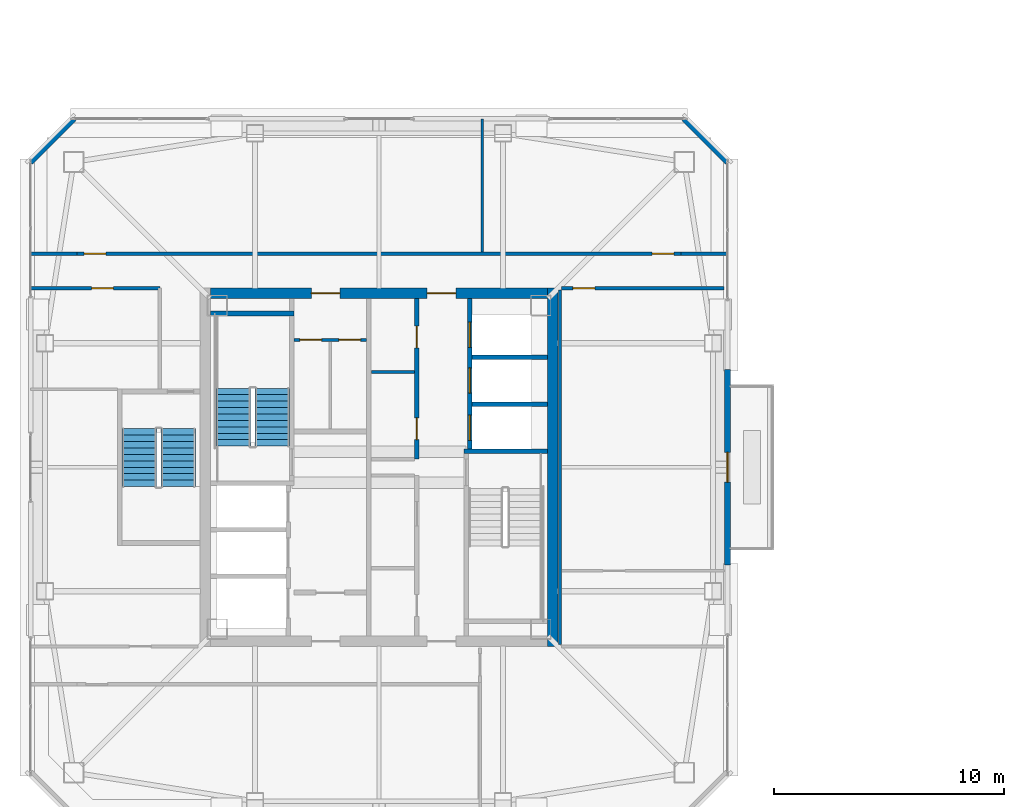
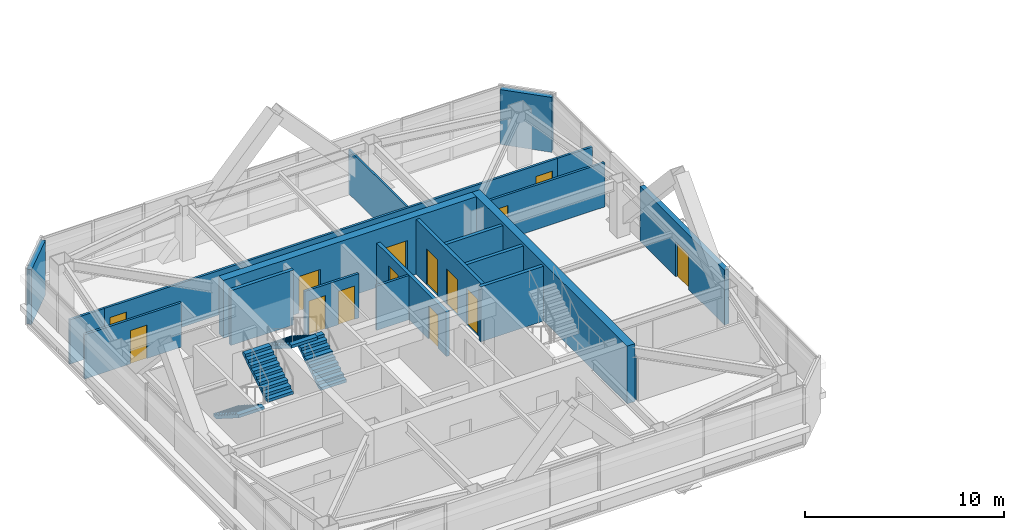
# One storey, part 20 of 24: 20 walls, 14 doors, 4 stair flights, 14 openings, 2 elements without a shape of their own.
"""IFC4 building model written with IfcOpenShell, lengths in metres."""

from ifc_helpers import new_model, si_unit, direction, frame, frame_2d, origin, place, context, subcontext, project, spatial, polyline, rectangle, outline, extrude, material, layer, layer_set, type_object, element, fill, aggregate, save


model = new_model("IFC4")

# Units and contexts
model_context = context("Model", 3, precision=1e-05, world=origin(), true_north=direction((0.0, 1.0)))
body_context = subcontext(model_context, "Body", "Model", "MODEL_VIEW")
ifc_project = project(units=[si_unit("LENGTHUNIT", "METRE"), si_unit("AREAUNIT", "SQUARE_METRE"), si_unit("VOLUMEUNIT", "CUBIC_METRE"), si_unit("PLANEANGLEUNIT", "RADIAN"), si_unit("MASSUNIT", "GRAM", prefix="KILO")], contexts=[model_context])

# Site, building, storey
site_placement = place(None, origin())
site = spatial("IfcSite", under=ifc_project, at=site_placement, CompositionType="ELEMENT")
building_placement = place(site_placement, origin())
building = spatial("IfcBuilding", under=site, at=building_placement, Name="Tashvorn Skyway Center", CompositionType="ELEMENT")
storey_placement = place(building_placement, frame((0.0, 0.0, 270.5)))
storey = spatial("IfcBuildingStorey", under=building, at=storey_placement, Name="L73", CompositionType="ELEMENT", Elevation=270.5)

# Wall
ifc_material_1 = material(Name="Concrete C50/60", Category="concrete")
ifc_layer_1 = layer(ifc_material_1, 0.449951171875)
ifc_layer_set_1 = layer_set([ifc_layer_1], Name="Concrete C50/60")
wall_type_1 = type_object("IfcWallType", Name="WALL-CORE-450", PredefinedType="SHEAR", material=ifc_layer_set_1)
wall_1_placement = place(storey_placement, frame((49.574951171875, 39.800048828125, 0.0), z_axis=(0.0, 0.0, 1.0), x_axis=(0.0, -1.0, 0.0)))
element("IfcWall", 1, at=wall_1_placement, inside=storey, type_object=wall_type_1, Name="Tower 1 L73 East Core Shear Wall", PredefinedType="SHEAR", context=body_context, shape_type="SweptSolid", body=[
    extrude(rectangle(XDim=15.60009765625, YDim=0.449951171875, at=frame_2d((7.800048828125, 0.0))), origin(), (0.0, 0.0, 1.0), 3.550048828125),
])

# Wall, openings, doors
wall_2_placement = place(storey_placement, frame((34.64990234375, 39.574951171875, 0.0), z_axis=(0.0, 0.0, 1.0), x_axis=(1.0, 0.0, 0.0)))
wall_2 = element("IfcWall", 2, at=wall_2_placement, inside=storey, type_object=wall_type_1, Name="Tower 1 L73 North Core Shear Wall", PredefinedType="SHEAR", context=body_context, shape_type="SweptSolid", body=[
    extrude(rectangle(XDim=14.7001953125, YDim=0.449951171875, at=frame_2d((7.35009765625, 0.0))), origin(), (0.0, 0.0, 1.0), 3.550048828125),
])
opening_1_placement = place(wall_2_placement, frame((4.39990234375, 0.0, 0.0)))
opening_1 = element("IfcOpeningElement", 3, at=opening_1_placement, cuts=wall_2, Name="Opening D-FFL-1250", PredefinedType="OPENING", context=body_context, shape_type="SweptSolid", body=[
    extrude(rectangle(XDim=1.25, YDim=2.25, at=frame_2d((0.625, 1.125))), frame((0.0, 0.23486328125, 0.0), z_axis=(0.0, -1.0, 0.0), x_axis=(1.0, 0.0, 0.0)), (0.0, 0.0, 1.0), 0.469970703125),
])
opening_2_placement = place(wall_2_placement, frame((9.449951171875, 0.0, 0.0)))
opening_2 = element("IfcOpeningElement", 4, at=opening_2_placement, cuts=wall_2, Name="Opening D-FFL-1250", PredefinedType="OPENING", context=body_context, shape_type="SweptSolid", body=[
    extrude(rectangle(XDim=1.25, YDim=2.25, at=frame_2d((0.625, 1.125))), frame((0.0, 0.23486328125, 0.0), z_axis=(0.0, -1.0, 0.0), x_axis=(1.0, 0.0, 0.0)), (0.0, 0.0, 1.0), 0.469970703125),
])
ifc_material_2 = material(Name="Hollow galvanized steel fire door assembly", Category="steel")
door_type_1 = type_object("IfcDoorType", Name="DOOR-FFL-1250", OperationType="NOTDEFINED", PredefinedType="DOOR", material=ifc_material_2)
door_1_placement = place(opening_1_placement, origin())
door_1 = element("IfcDoor", 5, at=door_1_placement, inside=storey, type_object=door_type_1, Name="Tower 1 L73 Core North Service Lobby Door", OperationType="SINGLE_SWING_LEFT", OverallHeight=2.25, OverallWidth=1.25, PredefinedType="DOOR", context=body_context, shape_type="SweptSolid", body=[
    extrude(rectangle(XDim=1.25, YDim=2.25, at=frame_2d((0.625, 1.125))), frame((0.0, 0.02490234375, 0.0), z_axis=(0.0, -1.0, 0.0), x_axis=(1.0, 0.0, 0.0)), (0.0, 0.0, 1.0), 0.050048828125),
])
fill(opening_1, door_1)
door_2_placement = place(opening_2_placement, origin())
door_2 = element("IfcDoor", 6, at=door_2_placement, inside=storey, type_object=door_type_1, Name="Tower 1 L73 Core North Lift Lobby Door", OperationType="SINGLE_SWING_RIGHT", OverallHeight=2.25, OverallWidth=1.25, PredefinedType="DOOR", context=body_context, shape_type="SweptSolid", body=[
    extrude(rectangle(XDim=1.25, YDim=2.25, at=frame_2d((0.625, 1.125))), frame((0.0, 0.02490234375, 0.0), z_axis=(0.0, -1.0, 0.0), x_axis=(1.0, 0.0, 0.0)), (0.0, 0.0, 1.0), 0.050048828125),
])
fill(opening_2, door_2)

# Wall, opening, door
ifc_material_3 = material(Name="Precast concrete C40/50", Category="concrete")
ifc_layer_2 = layer(ifc_material_3, 0.280029296875)
ifc_layer_set_2 = layer_set([ifc_layer_2], Name="Precast concrete C40/50")
wall_type_2 = type_object("IfcWallType", Name="WALL-EXT-280", PredefinedType="SOLIDWALL", material=ifc_layer_set_2)
wall_3_placement = place(storey_placement, frame((57.179931640625, 36.25, 0.0), z_axis=(0.0, 0.0, 1.0), x_axis=(0.0, -1.0, 0.0)))
wall_3 = element("IfcWall", 7, at=wall_3_placement, inside=storey, type_object=wall_type_2, Name="Tower 1 L73 East Terrace Portal Wall", PredefinedType="SOLIDWALL", context=body_context, shape_type="SweptSolid", body=[
    extrude(rectangle(XDim=8.5, YDim=0.280029296875, at=frame_2d((4.25, 0.0))), origin(), (0.0, 0.0, 1.0), 3.3701171875),
])
opening_3_placement = place(wall_3_placement, frame((3.60009765625, 0.0, 0.0)))
opening_3 = element("IfcOpeningElement", 8, at=opening_3_placement, cuts=wall_3, Name="Opening D-TER-1300", PredefinedType="OPENING", context=body_context, shape_type="SweptSolid", body=[
    extrude(rectangle(XDim=1.300048828125, YDim=2.14990234375, at=frame_2d((0.64990234375, 1.074951171875))), frame((0.0, 0.14990234375, 0.0), z_axis=(0.0, -1.0, 0.0), x_axis=(1.0, 0.0, 0.0)), (0.0, 0.0, 1.0), 0.300048828125),
])
ifc_material_4 = material(Name="Thermally broken bronze-anodized aluminium 6063-T6", Category="aluminium")
door_type_2 = type_object("IfcDoorType", Name="DOOR-TERR-1300", OperationType="NOTDEFINED", PredefinedType="DOOR", material=ifc_material_4)
door_3_placement = place(opening_3_placement, origin())
door_3 = element("IfcDoor", 9, at=door_3_placement, inside=storey, type_object=door_type_2, Name="Tower 1 L73 Terrace Access Door", OperationType="SINGLE_SWING_LEFT", OverallHeight=2.14990234375, OverallWidth=1.300048828125, PredefinedType="DOOR", context=body_context, shape_type="SweptSolid", body=[
    extrude(rectangle(XDim=1.300048828125, YDim=2.14990234375, at=frame_2d((0.64990234375, 1.074951171875))), frame((0.0, 0.02490234375, 0.0), z_axis=(0.0, -1.0, 0.0), x_axis=(1.0, 0.0, 0.0)), (0.0, 0.0, 1.0), 0.050048828125),
])
fill(opening_3, door_3)

# Walls
for number, where, z_axis, x_axis, name in (
    (10, (26.800048828125, 45.300048828125, 0.0), (0.0, 0.0, 1.0), (0.707106781187, 0.707106781187, 0.0), "Tower 1 L73 NW Precast Chamfer Wall"),
    (11, (55.300048828125, 47.199951171875, 0.0), (0.0, 0.0, 1.0), (0.707106781187, -0.707106781187, 0.0), "Tower 1 L73 NE Precast Chamfer Wall"),
):
    element("IfcWall", number, at=place(storey_placement, frame(where, z_axis=z_axis, x_axis=x_axis)), inside=storey, type_object=wall_type_2, Name=name, PredefinedType="SOLIDWALL", context=body_context, shape_type="SweptSolid", body=[
        extrude(rectangle(XDim=2.686767578125, YDim=0.280029296875, at=frame_2d((1.34326171875, 0.0))), origin(), (0.0, 0.0, 1.0), 3.3701171875),
    ])
ifc_material_5 = material(Name="Gypsum board on cold-formed steel stud framing", Category="steel")
ifc_layer_3 = layer(ifc_material_5, 0.110107421875)
ifc_layer_set_3 = layer_set([ifc_layer_3], Name="Gypsum board on cold-formed steel stud framing")
wall_type_3 = type_object("IfcWallType", Name="WALL-PART-110", PredefinedType="PARTITIONING", material=ifc_layer_set_3)
wall_4_placement = place(storey_placement, frame((46.5, 41.3798828125, 0.0), z_axis=(0.0, 0.0, 1.0), x_axis=(0.0, 1.0, 0.0)))
element("IfcWall", 12, at=wall_4_placement, inside=storey, type_object=wall_type_3, Name="Tower 1 L73 North Suite Partition 1", PredefinedType="PARTITIONING", context=body_context, shape_type="SweptSolid", body=[
    extrude(rectangle(XDim=5.800048828125, YDim=0.110107421875, at=frame_2d((2.89990234375, 0.0))), origin(), (0.0, 0.0, 1.0), 2.722900390625),
])

# Wall, openings, doors
ifc_layer_4 = layer(ifc_material_5, 0.135009765625)
ifc_layer_set_4 = layer_set([ifc_layer_4], Name="Gypsum board on cold-formed steel stud framing")
wall_type_4 = type_object("IfcWallType", Name="WALL-PART-135", PredefinedType="PARTITIONING", material=ifc_layer_set_4)
wall_5_placement = place(storey_placement, frame((28.85009765625, 41.300048828125, 0.0), z_axis=(0.0, 0.0, 1.0), x_axis=(1.0, 0.0, 0.0)))
wall_5 = element("IfcWall", 13, at=wall_5_placement, inside=storey, type_object=wall_type_4, Name="Tower 1 L73 North Suite Wall", PredefinedType="PARTITIONING", context=body_context, shape_type="SweptSolid", body=[
    extrude(rectangle(XDim=26.2998046875, YDim=0.135009765625, at=frame_2d((13.14990234375, 0.0))), origin(), (0.0, 0.0, 1.0), 2.722900390625),
])
opening_4_placement = place(wall_5_placement, frame((0.300048828125, 0.0, 0.0)))
opening_4 = element("IfcOpeningElement", 14, at=opening_4_placement, cuts=wall_5, Name="Opening D-INT-950", PredefinedType="OPENING", context=body_context, shape_type="SweptSolid", body=[
    extrude(rectangle(XDim=0.949951171875, YDim=2.050048828125, at=frame_2d((0.47509765625, 1.02490234375))), frame((0.0, 0.077392578125, 0.0), z_axis=(0.0, -1.0, 0.0), x_axis=(1.0, 0.0, 0.0)), (0.0, 0.0, 1.0), 0.155029296875),
])
opening_5_placement = place(wall_5_placement, frame((25.050048828125, 0.0, 0.0)))
opening_5 = element("IfcOpeningElement", 15, at=opening_5_placement, cuts=wall_5, Name="Opening D-INT-950", PredefinedType="OPENING", context=body_context, shape_type="SweptSolid", body=[
    extrude(rectangle(XDim=0.949951171875, YDim=2.050048828125, at=frame_2d((0.47509765625, 1.02490234375))), frame((0.0, 0.077392578125, 0.0), z_axis=(0.0, -1.0, 0.0), x_axis=(1.0, 0.0, 0.0)), (0.0, 0.0, 1.0), 0.155029296875),
])
ifc_material_6 = material(Name="Solid-core architectural oak veneer door")
door_type_3 = type_object("IfcDoorType", Name="DOOR-INT-950", OperationType="NOTDEFINED", PredefinedType="DOOR", material=ifc_material_6)
door_4_placement = place(opening_4_placement, origin())
door_4 = element("IfcDoor", 16, at=door_4_placement, inside=storey, type_object=door_type_3, Name="Tower 1 L73 Wellness Clinic Door", OperationType="SINGLE_SWING_RIGHT", OverallHeight=2.050048828125, OverallWidth=0.949951171875, PredefinedType="DOOR", context=body_context, shape_type="SweptSolid", body=[
    extrude(rectangle(XDim=0.949951171875, YDim=2.050048828125, at=frame_2d((0.47509765625, 1.02490234375))), frame((0.0, 0.02490234375, 0.0), z_axis=(0.0, -1.0, 0.0), x_axis=(1.0, 0.0, 0.0)), (0.0, 0.0, 1.0), 0.050048828125),
])
fill(opening_4, door_4)
door_5_placement = place(opening_5_placement, origin())
door_5 = element("IfcDoor", 17, at=door_5_placement, inside=storey, type_object=door_type_3, Name="Tower 1 L73 Wellness Clinic Door", OperationType="SINGLE_SWING_LEFT", OverallHeight=2.050048828125, OverallWidth=0.949951171875, PredefinedType="DOOR", context=body_context, shape_type="SweptSolid", body=[
    extrude(rectangle(XDim=0.949951171875, YDim=2.050048828125, at=frame_2d((0.47509765625, 1.02490234375))), frame((0.0, 0.02490234375, 0.0), z_axis=(0.0, -1.0, 0.0), x_axis=(1.0, 0.0, 0.0)), (0.0, 0.0, 1.0), 0.050048828125),
])
fill(opening_5, door_5)

# Walls
for number, where, z_axis, x_axis, name in (
    (18, (26.820068359375, 41.300048828125, 0.0), (0.0, 0.0, 1.0), (1.0, 0.0, 0.0), "Tower 1 L73 North-West Suite South Wall"),
    (19, (55.14990234375, 41.300048828125, 0.0), (0.0, 0.0, 1.0), (1.0, 0.0, 0.0), "Tower 1 L73 North-East Suite South Wall"),
):
    element("IfcWall", number, at=place(storey_placement, frame(where, z_axis=z_axis, x_axis=x_axis)), inside=storey, type_object=wall_type_4, Name=name, PredefinedType="PARTITIONING", context=body_context, shape_type="SweptSolid", body=[
        extrude(rectangle(XDim=2.030029296875, YDim=0.135009765625, at=frame_2d((1.01513671875, 0.0))), origin(), (0.0, 0.0, 1.0), 2.722900390625),
    ])
wall_6_placement = place(storey_placement, frame((49.8798828125, 39.719970703125, 0.0), z_axis=(0.0, 0.0, 1.0), x_axis=(0.0, -1.0, 0.0)))
element("IfcWall", 20, at=wall_6_placement, inside=storey, type_object=wall_type_4, Name="Tower 1 L73 East Inner Suite Wall", PredefinedType="PARTITIONING", context=body_context, shape_type="SweptSolid", body=[
    extrude(rectangle(XDim=15.43994140625, YDim=0.135009765625, at=frame_2d((7.719970703125, 0.0))), origin(), (0.0, 0.0, 1.0), 2.722900390625),
])

# Wall, opening, door
wall_7_placement = place(storey_placement, frame((57.030029296875, 39.800048828125, 0.0), z_axis=(0.0, 0.0, 1.0), x_axis=(-1.0, 0.0, 0.0)))
wall_7 = element("IfcWall", 21, at=wall_7_placement, inside=storey, type_object=wall_type_4, Name="Tower 1 L73 East Suite North Wall", PredefinedType="PARTITIONING", context=body_context, shape_type="SweptSolid", body=[
    extrude(rectangle(XDim=7.070068359375, YDim=0.135009765625, at=frame_2d((3.53515625, 0.0))), origin(), (0.0, 0.0, 1.0), 2.722900390625),
])
opening_6_placement = place(wall_7_placement, frame((5.6298828125, 0.0, 0.0)))
opening_6 = element("IfcOpeningElement", 22, at=opening_6_placement, cuts=wall_7, Name="Opening D-INT-950", PredefinedType="OPENING", context=body_context, shape_type="SweptSolid", body=[
    extrude(rectangle(XDim=0.949951171875, YDim=2.050048828125, at=frame_2d((0.47509765625, 1.02490234375))), frame((0.0, 0.077392578125, 0.0), z_axis=(0.0, -1.0, 0.0), x_axis=(1.0, 0.0, 0.0)), (0.0, 0.0, 1.0), 0.155029296875),
])
door_6_placement = place(opening_6_placement, origin())
door_6 = element("IfcDoor", 23, at=door_6_placement, inside=storey, type_object=door_type_3, Name="Tower 1 L73 Operations Control Room Door", OperationType="SINGLE_SWING_RIGHT", OverallHeight=2.050048828125, OverallWidth=0.949951171875, PredefinedType="DOOR", context=body_context, shape_type="SweptSolid", body=[
    extrude(rectangle(XDim=0.949951171875, YDim=2.050048828125, at=frame_2d((0.47509765625, 1.02490234375))), frame((0.0, 0.02490234375, 0.0), z_axis=(0.0, -1.0, 0.0), x_axis=(1.0, 0.0, 0.0)), (0.0, 0.0, 1.0), 0.050048828125),
])
fill(opening_6, door_6)

wall_8_placement = place(storey_placement, frame((32.449951171875, 39.800048828125, 0.0), z_axis=(0.0, 0.0, 1.0), x_axis=(-1.0, 0.0, 0.0)))
wall_8 = element("IfcWall", 24, at=wall_8_placement, inside=storey, type_object=wall_type_4, Name="Tower 1 L73 West Suite North Wall", PredefinedType="PARTITIONING", context=body_context, shape_type="SweptSolid", body=[
    extrude(rectangle(XDim=5.6298828125, YDim=0.135009765625, at=frame_2d((2.81494140625, 0.0))), origin(), (0.0, 0.0, 1.0), 2.722900390625),
])
opening_7_placement = place(wall_8_placement, frame((2.02490234375, 0.0, 0.0)))
opening_7 = element("IfcOpeningElement", 25, at=opening_7_placement, cuts=wall_8, Name="Opening D-INT-950", PredefinedType="OPENING", context=body_context, shape_type="SweptSolid", body=[
    extrude(rectangle(XDim=0.949951171875, YDim=2.050048828125, at=frame_2d((0.47509765625, 1.02490234375))), frame((0.0, 0.077392578125, 0.0), z_axis=(0.0, -1.0, 0.0), x_axis=(1.0, 0.0, 0.0)), (0.0, 0.0, 1.0), 0.155029296875),
])
door_7_placement = place(opening_7_placement, origin())
door_7 = element("IfcDoor", 26, at=door_7_placement, inside=storey, type_object=door_type_3, Name="Tower 1 L73 Corporate Office Door", OperationType="SINGLE_SWING_RIGHT", OverallHeight=2.050048828125, OverallWidth=0.949951171875, PredefinedType="DOOR", context=body_context, shape_type="SweptSolid", body=[
    extrude(rectangle(XDim=0.949951171875, YDim=2.050048828125, at=frame_2d((0.47509765625, 1.02490234375))), frame((0.0, 0.02490234375, 0.0), z_axis=(0.0, -1.0, 0.0), x_axis=(1.0, 0.0, 0.0)), (0.0, 0.0, 1.0), 0.050048828125),
])
fill(opening_7, door_7)

# Wall, openings, doors
ifc_layer_5 = layer(ifc_material_5, 0.135009765625)
ifc_layer_set_5 = layer_set([ifc_layer_5], Name="Gypsum board on cold-formed steel stud framing")
wall_type_5 = type_object("IfcWallType", Name="WALL-RATED-135", PredefinedType="PARTITIONING", material=ifc_layer_set_5)
wall_9_placement = place(storey_placement, frame((38.300048828125, 37.550048828125, 0.0), z_axis=(0.0, 0.0, 1.0), x_axis=(1.0, 0.0, 0.0)))
wall_9 = element("IfcWall", 27, at=wall_9_placement, inside=storey, type_object=wall_type_5, Name="Tower 1 L73 Core Service Lobby Wall", PredefinedType="PARTITIONING", context=body_context, shape_type="SweptSolid", body=[
    extrude(rectangle(XDim=3.14990234375, YDim=0.135009765625, at=frame_2d((1.574951171875, 0.0))), origin(), (0.0, 0.0, 1.0), 2.722900390625),
])
opening_8_placement = place(wall_9_placement, frame((0.25, 0.0, 0.0)))
opening_8 = element("IfcOpeningElement", 28, at=opening_8_placement, cuts=wall_9, Name="Opening D-RT-950", PredefinedType="OPENING", context=body_context, shape_type="SweptSolid", body=[
    extrude(rectangle(XDim=0.949951171875, YDim=2.050048828125, at=frame_2d((0.47509765625, 1.02490234375))), frame((0.0, 0.077392578125, 0.0), z_axis=(0.0, -1.0, 0.0), x_axis=(1.0, 0.0, 0.0)), (0.0, 0.0, 1.0), 0.155029296875),
])
opening_9_placement = place(wall_9_placement, frame((1.949951171875, 0.0, 0.0)))
opening_9 = element("IfcOpeningElement", 29, at=opening_9_placement, cuts=wall_9, Name="Opening D-RT-950", PredefinedType="OPENING", context=body_context, shape_type="SweptSolid", body=[
    extrude(rectangle(XDim=0.949951171875, YDim=2.050048828125, at=frame_2d((0.47509765625, 1.02490234375))), frame((0.0, 0.077392578125, 0.0), z_axis=(0.0, -1.0, 0.0), x_axis=(1.0, 0.0, 0.0)), (0.0, 0.0, 1.0), 0.155029296875),
])
door_type_4 = type_object("IfcDoorType", Name="DOOR-RATED-950", OperationType="NOTDEFINED", PredefinedType="DOOR", material=ifc_material_2)
door_8_placement = place(opening_8_placement, origin())
door_8 = element("IfcDoor", 30, at=door_8_placement, inside=storey, type_object=door_type_4, Name="Tower 1 L73 Core Accessible WC Door", OperationType="SINGLE_SWING_LEFT", OverallHeight=2.050048828125, OverallWidth=0.949951171875, PredefinedType="DOOR", context=body_context, shape_type="SweptSolid", body=[
    extrude(rectangle(XDim=0.949951171875, YDim=2.050048828125, at=frame_2d((0.47509765625, 1.02490234375))), frame((0.0, 0.02490234375, 0.0), z_axis=(0.0, -1.0, 0.0), x_axis=(1.0, 0.0, 0.0)), (0.0, 0.0, 1.0), 0.050048828125),
])
fill(opening_8, door_8)
door_9_placement = place(opening_9_placement, origin())
door_9 = element("IfcDoor", 31, at=door_9_placement, inside=storey, type_object=door_type_4, Name="Tower 1 L73 Core Cleaner Store Door", OperationType="SINGLE_SWING_RIGHT", OverallHeight=2.050048828125, OverallWidth=0.949951171875, PredefinedType="DOOR", context=body_context, shape_type="SweptSolid", body=[
    extrude(rectangle(XDim=0.949951171875, YDim=2.050048828125, at=frame_2d((0.47509765625, 1.02490234375))), frame((0.0, 0.02490234375, 0.0), z_axis=(0.0, -1.0, 0.0), x_axis=(1.0, 0.0, 0.0)), (0.0, 0.0, 1.0), 0.050048828125),
])
fill(opening_9, door_9)

# Walls
wall_10_placement = place(storey_placement, frame((41.669921875, 36.14990234375, 0.0), z_axis=(0.0, 0.0, 1.0), x_axis=(1.0, 0.0, 0.0)))
element("IfcWall", 32, at=wall_10_placement, inside=storey, type_object=wall_type_5, Name="Tower 1 L73 Freed Mid-Rise Partition", PredefinedType="PARTITIONING", context=body_context, shape_type="SweptSolid", body=[
    extrude(rectangle(XDim=1.880126953125, YDim=0.135009765625, at=frame_2d((0.93994140625, 0.0))), origin(), (0.0, 0.0, 1.0), 2.722900390625),
])
ifc_material_7 = material(Name="Concrete C40/50", Category="concrete")
ifc_layer_6 = layer(ifc_material_7, 0.199951171875)
ifc_layer_set_6 = layer_set([ifc_layer_6], Name="Concrete C40/50")
wall_type_6 = type_object("IfcWallType", Name="WALL-SHAFT-200", PredefinedType="SOLIDWALL", material=ifc_layer_set_6)
for number, where, z_axis, x_axis, name in (
    (33, (46.050048828125, 34.75, 0.0), (0.0, 0.0, 1.0), (1.0, 0.0, 0.0), "Tower 1 L73 High-Rise Shaft Divider"),
    (34, (46.050048828125, 36.800048828125, 0.0), (0.0, 0.0, 1.0), (1.0, 0.0, 0.0), "Tower 1 L73 High-Rise Shaft Divider"),
):
    element("IfcWall", number, at=place(storey_placement, frame(where, z_axis=z_axis, x_axis=x_axis)), inside=storey, type_object=wall_type_6, Name=name, PredefinedType="SOLIDWALL", context=body_context, shape_type="SweptSolid", body=[
        extrude(rectangle(XDim=3.300048828125, YDim=0.199951171875, at=frame_2d((1.64990234375, 0.0))), origin(), (0.0, 0.0, 1.0), 3.3701171875),
    ])

# Wall, openings, doors
wall_11_placement = place(storey_placement, frame((43.64990234375, 32.35009765625, 0.0), z_axis=(0.0, 0.0, 1.0), x_axis=(0.0, 1.0, 0.0)))
wall_11 = element("IfcWall", 35, at=wall_11_placement, inside=storey, type_object=wall_type_6, Name="Tower 1 L73 Mid-Rise Core Wall", PredefinedType="SOLIDWALL", context=body_context, shape_type="SweptSolid", body=[
    extrude(rectangle(XDim=7.0, YDim=0.199951171875, at=frame_2d((3.5, 0.0))), origin(), (0.0, 0.0, 1.0), 2.722900390625),
])
opening_10_placement = place(wall_11_placement, frame((0.85009765625, 0.0, 0.0)))
opening_10 = element("IfcOpeningElement", 36, at=opening_10_placement, cuts=wall_11, Name="Opening D-RT-950", PredefinedType="OPENING", context=body_context, shape_type="SweptSolid", body=[
    extrude(rectangle(XDim=0.949951171875, YDim=2.050048828125, at=frame_2d((0.47509765625, 1.02490234375))), frame((0.0, 0.10986328125, 0.0), z_axis=(0.0, -1.0, 0.0), x_axis=(1.0, 0.0, 0.0)), (0.0, 0.0, 1.0), 0.219970703125),
])
opening_11_placement = place(wall_11_placement, frame((4.85009765625, 0.0, 0.0)))
opening_11 = element("IfcOpeningElement", 37, at=opening_11_placement, cuts=wall_11, Name="Opening D-RT-950", PredefinedType="OPENING", context=body_context, shape_type="SweptSolid", body=[
    extrude(rectangle(XDim=0.949951171875, YDim=2.050048828125, at=frame_2d((0.47509765625, 1.02490234375))), frame((0.0, 0.10986328125, 0.0), z_axis=(0.0, -1.0, 0.0), x_axis=(1.0, 0.0, 0.0)), (0.0, 0.0, 1.0), 0.219970703125),
])
door_10_placement = place(opening_10_placement, origin())
door_10 = element("IfcDoor", 38, at=door_10_placement, inside=storey, type_object=door_type_4, Name="Tower 1 L73 Core IT Room Door", OperationType="SINGLE_SWING_RIGHT", OverallHeight=2.050048828125, OverallWidth=0.949951171875, PredefinedType="DOOR", context=body_context, shape_type="SweptSolid", body=[
    extrude(rectangle(XDim=0.949951171875, YDim=2.050048828125, at=frame_2d((0.47509765625, 1.02490234375))), frame((0.0, 0.02490234375, 0.0), z_axis=(0.0, -1.0, 0.0), x_axis=(1.0, 0.0, 0.0)), (0.0, 0.0, 1.0), 0.050048828125),
])
fill(opening_10, door_10)
door_11_placement = place(opening_11_placement, origin())
door_11 = element("IfcDoor", 39, at=door_11_placement, inside=storey, type_object=door_type_4, Name="Tower 1 L73 Core Catering Pantry Door", OperationType="SINGLE_SWING_LEFT", OverallHeight=2.050048828125, OverallWidth=0.949951171875, PredefinedType="DOOR", context=body_context, shape_type="SweptSolid", body=[
    extrude(rectangle(XDim=0.949951171875, YDim=2.050048828125, at=frame_2d((0.47509765625, 1.02490234375))), frame((0.0, 0.02490234375, 0.0), z_axis=(0.0, -1.0, 0.0), x_axis=(1.0, 0.0, 0.0)), (0.0, 0.0, 1.0), 0.050048828125),
])
fill(opening_11, door_11)

# Walls
ifc_layer_7 = layer(ifc_material_7, 0.199951171875)
ifc_layer_set_7 = layer_set([ifc_layer_7], Name="Concrete C40/50")
wall_type_7 = type_object("IfcWallType", Name="WALL-STSHF-200", PredefinedType="SHEAR", material=ifc_layer_set_7)
for number, where, z_axis, x_axis, name in (
    (40, (34.64990234375, 38.699951171875, 0.0), (0.0, 0.0, 1.0), (1.0, 0.0, 0.0), "Tower 1 L73 Stair 1 North Wall"),
    (41, (45.699951171875, 32.699951171875, 0.0), (0.0, 0.0, 1.0), (1.0, 0.0, 0.0), "Tower 1 L73 Stair 2 North Wall"),
):
    element("IfcWall", number, at=place(storey_placement, frame(where, z_axis=z_axis, x_axis=x_axis)), inside=storey, type_object=wall_type_7, Name=name, PredefinedType="SHEAR", context=body_context, shape_type="SweptSolid", body=[
        extrude(rectangle(XDim=3.650146484375, YDim=0.199951171875, at=frame_2d((1.8251953125, 0.0))), origin(), (0.0, 0.0, 1.0), 3.3701171875),
    ])

# Wall, openings, doors
wall_12_placement = place(storey_placement, frame((45.949951171875, 39.35009765625, 0.0), z_axis=(0.0, 0.0, 1.0), x_axis=(0.0, -1.0, 0.0)))
wall_12 = element("IfcWall", 42, at=wall_12_placement, inside=storey, type_object=wall_type_7, Name="Tower 1 L73 High-Rise Lift Shaft Front Wall", PredefinedType="SHEAR", context=body_context, shape_type="SweptSolid", body=[
    extrude(rectangle(XDim=6.550048828125, YDim=0.199951171875, at=frame_2d((3.27490234375, 0.0))), origin(), (0.0, 0.0, 1.0), 3.3701171875),
])
opening_12_placement = place(wall_12_placement, frame((5.074951171875, 0.0, 0.0)))
opening_12 = element("IfcOpeningElement", 43, at=opening_12_placement, cuts=wall_12, Name="Opening LD-HR-T1-1-L73", PredefinedType="OPENING", context=body_context, shape_type="SweptSolid", body=[
    extrude(rectangle(XDim=1.10009765625, YDim=2.199951171875, at=frame_2d((0.550048828125, 1.10009765625))), frame((0.0, 0.10986328125, 0.0), z_axis=(0.0, -1.0, 0.0), x_axis=(1.0, 0.0, 0.0)), (0.0, 0.0, 1.0), 0.219970703125),
])
opening_13_placement = place(wall_12_placement, frame((3.02490234375, 0.0, 0.0)))
opening_13 = element("IfcOpeningElement", 44, at=opening_13_placement, cuts=wall_12, Name="Opening LD-HR-T1-2-L73", PredefinedType="OPENING", context=body_context, shape_type="SweptSolid", body=[
    extrude(rectangle(XDim=1.10009765625, YDim=2.199951171875, at=frame_2d((0.550048828125, 1.10009765625))), frame((0.0, 0.10986328125, 0.0), z_axis=(0.0, -1.0, 0.0), x_axis=(1.0, 0.0, 0.0)), (0.0, 0.0, 1.0), 0.219970703125),
])
opening_14_placement = place(wall_12_placement, frame((1.02490234375, 0.0, 0.0)))
opening_14 = element("IfcOpeningElement", 45, at=opening_14_placement, cuts=wall_12, Name="Opening LD-HR-T1-3-L73", PredefinedType="OPENING", context=body_context, shape_type="SweptSolid", body=[
    extrude(rectangle(XDim=1.10009765625, YDim=2.199951171875, at=frame_2d((0.550048828125, 1.10009765625))), frame((0.0, 0.10986328125, 0.0), z_axis=(0.0, -1.0, 0.0), x_axis=(1.0, 0.0, 0.0)), (0.0, 0.0, 1.0), 0.219970703125),
])
ifc_material_8 = material(Name="Stainless steel landing door", Category="steel")
door_type_5 = type_object("IfcDoorType", Name="DOOR-LIFT-1100", OperationType="SLIDING_TO_LEFT", PredefinedType="DOOR", material=ifc_material_8)
door_12_placement = place(opening_12_placement, origin())
door_12 = element("IfcDoor", 46, at=door_12_placement, inside=storey, type_object=door_type_5, Name="Lift HR-T1-1 L73 Landing Door", OperationType="SLIDING_TO_LEFT", OverallHeight=2.199951171875, OverallWidth=1.10009765625, PredefinedType="DOOR", context=body_context, shape_type="SweptSolid", body=[
    extrude(rectangle(XDim=1.10009765625, YDim=2.199951171875, at=frame_2d((0.550048828125, 1.10009765625))), frame((0.0, 0.02490234375, 0.0), z_axis=(0.0, -1.0, 0.0), x_axis=(1.0, 0.0, 0.0)), (0.0, 0.0, 1.0), 0.050048828125),
])
fill(opening_12, door_12)
door_13_placement = place(opening_13_placement, origin())
door_13 = element("IfcDoor", 47, at=door_13_placement, inside=storey, type_object=door_type_5, Name="Lift HR-T1-2 L73 Landing Door", OperationType="SLIDING_TO_LEFT", OverallHeight=2.199951171875, OverallWidth=1.10009765625, PredefinedType="DOOR", context=body_context, shape_type="SweptSolid", body=[
    extrude(rectangle(XDim=1.10009765625, YDim=2.199951171875, at=frame_2d((0.550048828125, 1.10009765625))), frame((0.0, 0.02490234375, 0.0), z_axis=(0.0, -1.0, 0.0), x_axis=(1.0, 0.0, 0.0)), (0.0, 0.0, 1.0), 0.050048828125),
])
fill(opening_13, door_13)
door_14_placement = place(opening_14_placement, origin())
door_14 = element("IfcDoor", 48, at=door_14_placement, inside=storey, type_object=door_type_5, Name="Lift HR-T1-3 L73 Landing Door", OperationType="SLIDING_TO_LEFT", OverallHeight=2.199951171875, OverallWidth=1.10009765625, PredefinedType="DOOR", context=body_context, shape_type="SweptSolid", body=[
    extrude(rectangle(XDim=1.10009765625, YDim=2.199951171875, at=frame_2d((0.550048828125, 1.10009765625))), frame((0.0, 0.02490234375, 0.0), z_axis=(0.0, -1.0, 0.0), x_axis=(1.0, 0.0, 0.0)), (0.0, 0.0, 1.0), 0.050048828125),
])
fill(opening_14, door_14)

# Stair, stair flights
stair_type = type_object("IfcStairType", Name="STAIR-CORE-1500", PredefinedType="HALF_TURN_STAIR", material=ifc_material_7)
stair_1_placement = place(storey_placement, origin())
stair_1 = element("IfcStair", 49, at=stair_1_placement, inside=storey, type_object=stair_type, Name="L73 Tower 1 Exit Stair 1", PredefinedType="HALF_TURN_STAIR")
stair_flight_type = type_object("IfcStairFlightType", Name="SFLIGHT-1500", PredefinedType="STRAIGHT", material=ifc_material_7)
stair_flight_1_placement = place(storey_placement, frame((37.35009765625, 32.919921875, 0.0), z_axis=(0.0, 0.0, 1.0), x_axis=(0.0, 1.0, 0.0)))
stair_flight_1 = element("IfcStairFlight", 50, at=stair_flight_1_placement, type_object=stair_flight_type, Name="ST-T1-1 flight 1", NumberOfRisers=10, NumberOfTreads=9, PredefinedType="STRAIGHT", RiserHeight=0.1775, TreadLength=0.28, context=body_context, shape_type="SweptSolid", body=[
    extrude(outline(polyline([(0.0, 0.0), (0.0, 0.177490234375), (0.280029296875, 0.177490234375), (0.280029296875, 0.35498046875), (0.56005859375, 0.35498046875), (0.56005859375, 0.532470703125), (0.840087890625, 0.532470703125), (0.840087890625, 0.7099609375), (1.1201171875, 0.7099609375), (1.1201171875, 0.887451171875), (1.39990234375, 0.887451171875), (1.39990234375, 1.06494140625), (1.679931640625, 1.06494140625), (1.679931640625, 1.242431640625), (1.9599609375, 1.242431640625), (1.9599609375, 1.419921875), (2.239990234375, 1.419921875), (2.239990234375, 1.597412109375), (2.52001953125, 1.597412109375), (2.52001953125, 1.77490234375), (2.52001953125, 1.419921875), (0.280029296875, 0.0), (0.0, 0.0)])), frame((0.0, 0.75, 0.0), z_axis=(0.0, -1.0, 0.0), x_axis=(1.0, 0.0, 0.0)), (0.0, 0.0, 1.0), 1.5),
])
stair_flight_2_placement = place(storey_placement, frame((35.64990234375, 35.43994140625, 1.77490234375), z_axis=(0.0, 0.0, 1.0), x_axis=(0.0, -1.0, 0.0)))
stair_flight_2 = element("IfcStairFlight", 51, at=stair_flight_2_placement, type_object=stair_flight_type, Name="ST-T1-1 flight 2", NumberOfRisers=10, NumberOfTreads=9, PredefinedType="STRAIGHT", RiserHeight=0.1775, TreadLength=0.28, context=body_context, shape_type="SweptSolid", body=[
    extrude(outline(polyline([(0.0, 0.0), (0.0, 0.177490234375), (0.280029296875, 0.177490234375), (0.280029296875, 0.35498046875), (0.56005859375, 0.35498046875), (0.56005859375, 0.532470703125), (0.840087890625, 0.532470703125), (0.840087890625, 0.7099609375), (1.1201171875, 0.7099609375), (1.1201171875, 0.887451171875), (1.39990234375, 0.887451171875), (1.39990234375, 1.06494140625), (1.679931640625, 1.06494140625), (1.679931640625, 1.242431640625), (1.9599609375, 1.242431640625), (1.9599609375, 1.419921875), (2.239990234375, 1.419921875), (2.239990234375, 1.597412109375), (2.52001953125, 1.597412109375), (2.52001953125, 1.77490234375), (2.52001953125, 1.419921875), (0.280029296875, 0.0), (0.0, 0.0)])), frame((0.0, 0.75, 0.0), z_axis=(0.0, -1.0, 0.0), x_axis=(1.0, 0.0, 0.0)), (0.0, 0.0, 1.0), 1.5),
])
aggregate(stair_1, [stair_flight_1, stair_flight_2])

stair_2_placement = place(storey_placement, origin())
stair_2 = element("IfcStair", 52, at=stair_2_placement, inside=storey, type_object=stair_type, Name="L73 Tower 1 Exit Stair 3", PredefinedType="HALF_TURN_STAIR")
stair_flight_3_placement = place(storey_placement, frame((31.550048828125, 33.679931640625, 0.0), z_axis=(0.0, 0.0, 1.0), x_axis=(0.0, -1.0, 0.0)))
stair_flight_3 = element("IfcStairFlight", 53, at=stair_flight_3_placement, type_object=stair_flight_type, Name="ST-T1-3 flight 1", NumberOfRisers=10, NumberOfTreads=9, PredefinedType="STRAIGHT", RiserHeight=0.1775, TreadLength=0.28, context=body_context, shape_type="SweptSolid", body=[
    extrude(outline(polyline([(0.0, 0.0), (0.0, 0.177490234375), (0.280029296875, 0.177490234375), (0.280029296875, 0.35498046875), (0.56005859375, 0.35498046875), (0.56005859375, 0.532470703125), (0.840087890625, 0.532470703125), (0.840087890625, 0.7099609375), (1.1201171875, 0.7099609375), (1.1201171875, 0.887451171875), (1.39990234375, 0.887451171875), (1.39990234375, 1.06494140625), (1.679931640625, 1.06494140625), (1.679931640625, 1.242431640625), (1.9599609375, 1.242431640625), (1.9599609375, 1.419921875), (2.239990234375, 1.419921875), (2.239990234375, 1.597412109375), (2.52001953125, 1.597412109375), (2.52001953125, 1.77490234375), (2.52001953125, 1.419921875), (0.280029296875, 0.0), (0.0, 0.0)])), frame((0.0, 0.75, 0.0), z_axis=(0.0, -1.0, 0.0), x_axis=(1.0, 0.0, 0.0)), (0.0, 0.0, 1.0), 1.5),
])
stair_flight_4_placement = place(storey_placement, frame((33.25, 31.159912109375, 1.77490234375), z_axis=(0.0, 0.0, 1.0), x_axis=(0.0, 1.0, 0.0)))
stair_flight_4 = element("IfcStairFlight", 54, at=stair_flight_4_placement, type_object=stair_flight_type, Name="ST-T1-3 flight 2", NumberOfRisers=10, NumberOfTreads=9, PredefinedType="STRAIGHT", RiserHeight=0.1775, TreadLength=0.28, context=body_context, shape_type="SweptSolid", body=[
    extrude(outline(polyline([(0.0, 0.0), (0.0, 0.177490234375), (0.280029296875, 0.177490234375), (0.280029296875, 0.35498046875), (0.56005859375, 0.35498046875), (0.56005859375, 0.532470703125), (0.840087890625, 0.532470703125), (0.840087890625, 0.7099609375), (1.1201171875, 0.7099609375), (1.1201171875, 0.887451171875), (1.39990234375, 0.887451171875), (1.39990234375, 1.06494140625), (1.679931640625, 1.06494140625), (1.679931640625, 1.242431640625), (1.9599609375, 1.242431640625), (1.9599609375, 1.419921875), (2.239990234375, 1.419921875), (2.239990234375, 1.597412109375), (2.52001953125, 1.597412109375), (2.52001953125, 1.77490234375), (2.52001953125, 1.419921875), (0.280029296875, 0.0), (0.0, 0.0)])), frame((0.0, 0.75, 0.0), z_axis=(0.0, -1.0, 0.0), x_axis=(1.0, 0.0, 0.0)), (0.0, 0.0, 1.0), 1.5),
])
aggregate(stair_2, [stair_flight_3, stair_flight_4])

save(model, "model.ifc")
